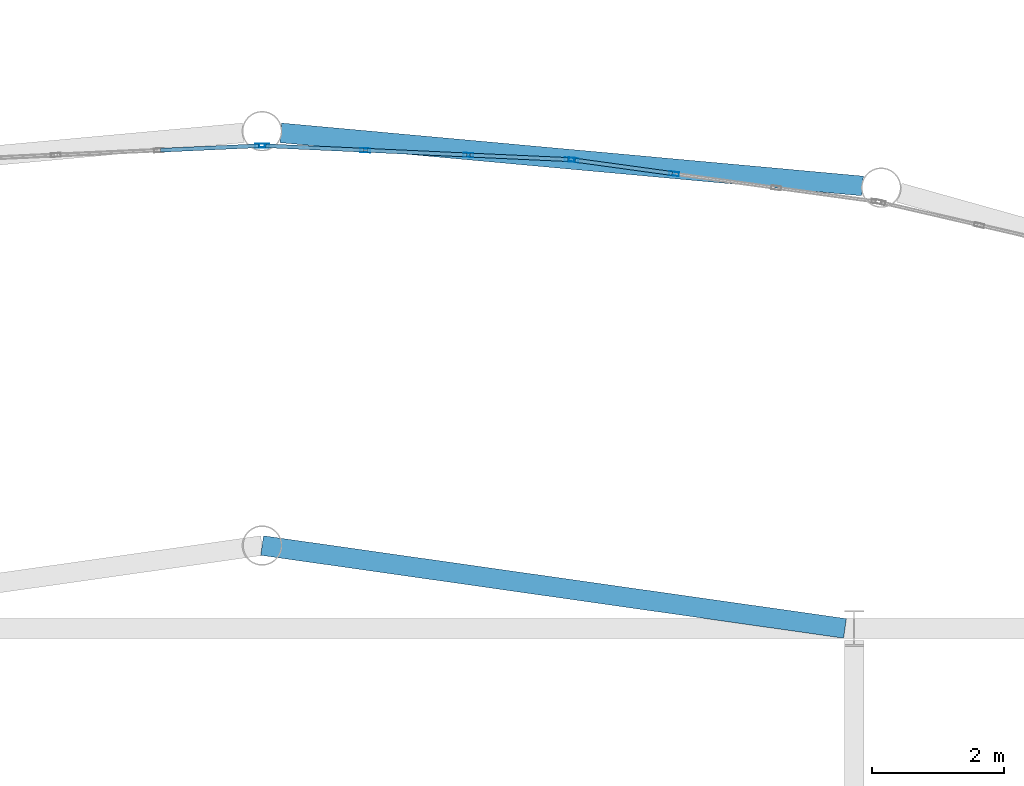
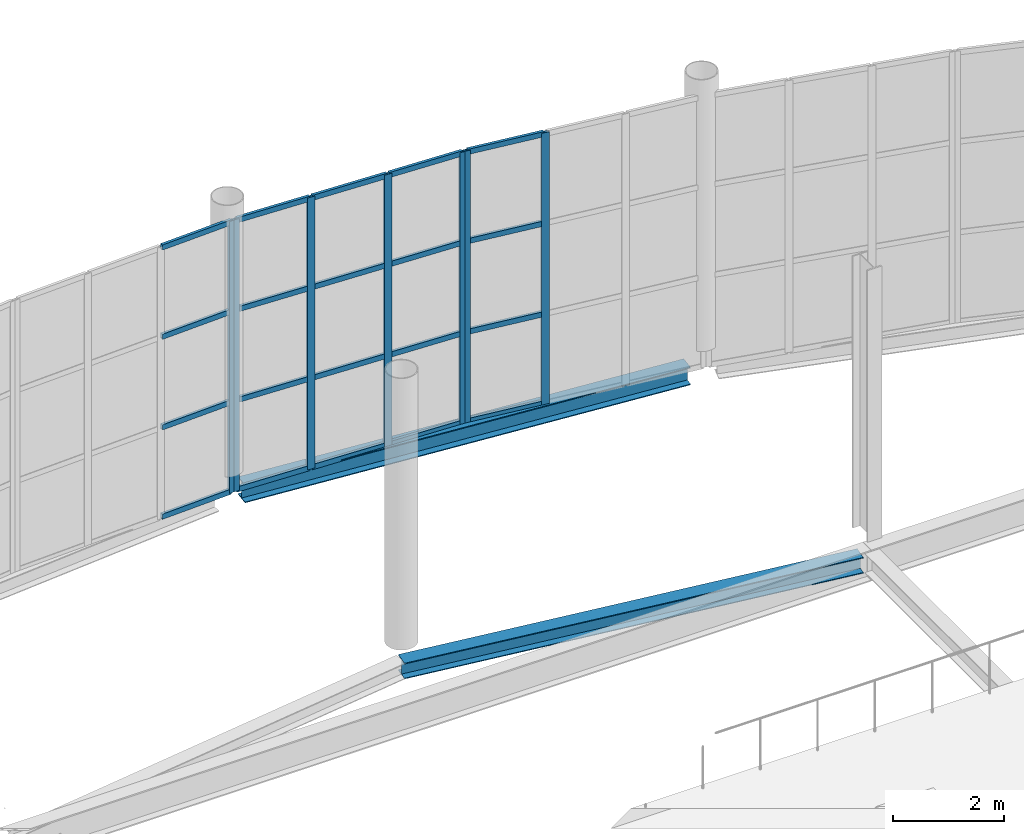
# One storey, part 119 of 191: 27 members, 2 beams, 3 elements without a shape of their own.
"""IFC4 building model written with IfcOpenShell, lengths in metres."""

from ifc_helpers import new_model, si_unit, direction, frame, origin, origin_2d, place, context, subcontext, project, spatial, hollow_rectangle, i_section, extrude, material, layer, layer_set, material_profile, profile_set, type_object, element, aggregate, save


model = new_model("IFC4")

# Units and contexts
model_context = context("Model", 3, precision=1e-05, world=origin(), true_north=direction((0.0, 1.0)))
body_context = subcontext(model_context, "Body", "Model", "MODEL_VIEW")
ifc_project = project(units=[si_unit("LENGTHUNIT", "METRE"), si_unit("AREAUNIT", "SQUARE_METRE"), si_unit("VOLUMEUNIT", "CUBIC_METRE"), si_unit("PLANEANGLEUNIT", "RADIAN"), si_unit("MASSUNIT", "GRAM", prefix="KILO")], contexts=[model_context])

# Site, building, storey
site_placement = place(None, origin())
site = spatial("IfcSite", under=ifc_project, at=site_placement, CompositionType="ELEMENT")
building_placement = place(site_placement, origin())
building = spatial("IfcBuilding", under=site, at=building_placement, Name="Tamarisk Ironworks Central Station", CompositionType="ELEMENT")
storey_placement = place(building_placement, frame((0.0, 0.0, 6.60009765625)))
storey = spatial("IfcBuildingStorey", under=building, at=storey_placement, Name="L01", CompositionType="ELEMENT", Elevation=6.60009765625)

# Beams
ifc_material_1 = material(Name="Structural steel S355J2", Category="steel")
ifc_material_profile_1 = material_profile(ifc_material_1, i_section(OverallWidth=0.300048828125, OverallDepth=0.389892578125, WebThickness=0.010986328125, FlangeThickness=0.01904296875, at=origin_2d()), Name="HEA 400")
ifc_profile_set_1 = profile_set([ifc_material_profile_1], Name="Structural steel S355J2")
beam_type_1 = type_object("IfcBeamType", Name="BM-G07", PredefinedType="BEAM", material=ifc_profile_set_1)
beam_1_placement = place(storey_placement, frame((81.28369140625, 119.133056640625, -0.5751953125), z_axis=(0.995863406654, -0.090862947823, 0.0), x_axis=(0.090862947823, 0.995863406654, 0.0)))
element("IfcBeam", 1, at=beam_1_placement, inside=storey, type_object=beam_type_1, Name="NN rounded nose L01 chord girder 031", PredefinedType="BEAM", context=body_context, shape_type="SweptSolid", body=[
    extrude(i_section(OverallWidth=0.300048828125, OverallDepth=0.389892578125, WebThickness=0.010986328125, FlangeThickness=0.01904296875, at=origin_2d()), origin(), (0.0, 0.0, 1.0), 8.880126953125),
])
ifc_material_profile_2 = material_profile(ifc_material_1, i_section(OverallWidth=0.300048828125, OverallDepth=0.35009765625, WebThickness=0.010009765625, FlangeThickness=0.017578125, at=origin_2d()), Name="HEA 360")
ifc_profile_set_2 = profile_set([ifc_material_profile_2], Name="Structural steel S355J2")
beam_type_2 = type_object("IfcBeamType", Name="BM-G08", PredefinedType="BEAM", material=ifc_profile_set_2)
beam_2_placement = place(storey_placement, frame((89.860107421875, 111.60009765625, -0.580078125), z_axis=(-0.990038775739, 0.140794966289, 0.0), x_axis=(-0.140794966289, -0.990038775739, 0.0)))
element("IfcBeam", 2, at=beam_2_placement, inside=storey, type_object=beam_type_2, Name="NN arch crown tie beam 038", PredefinedType="BEAM", context=body_context, shape_type="SweptSolid", body=[
    extrude(i_section(OverallWidth=0.300048828125, OverallDepth=0.35009765625, WebThickness=0.010009765625, FlangeThickness=0.017578125, at=origin_2d()), origin(), (0.0, 0.0, 1.0), 8.94921875),
])

# Curtain wall, member
ifc_material_2 = material(Name="Anodized aluminium alloy 6063-T6", Category="aluminium")
ifc_layer = layer(ifc_material_2, 0.179931640625)
ifc_layer_set = layer_set([ifc_layer], Name="Anodized aluminium alloy 6063-T6")
curtain_wall_type = type_object("IfcCurtainWallType", Name="CW-02", PredefinedType="USERDEFINED", material=ifc_layer_set)
curtain_wall_1_placement = place(storey_placement, origin())
curtain_wall_1 = element("IfcCurtainWall", 3, at=curtain_wall_1_placement, inside=storey, type_object=curtain_wall_type, Name="NN rounded entrance hall L01 curtain wall bay 06", ObjectType="GLAZED CURTAIN WALL", PredefinedType="USERDEFINED")
ifc_material_profile_3 = material_profile(ifc_material_2, hollow_rectangle(XDim=0.06005859375, YDim=0.14990234375, WallThickness=0.00341796875, at=origin_2d()), Name="ALUM 150x60")
ifc_profile_set_3 = profile_set([ifc_material_profile_3], Name="Anodized aluminium alloy 6063-T6")
member_type_1 = type_object("IfcMemberType", Name="CWM-03", PredefinedType="MULLION", material=ifc_profile_set_3)
member_1_placement = place(storey_placement, frame((80.969970703125, 118.937744140625, -0.385009765625), z_axis=(0.0, 0.0, 1.0), x_axis=(-0.045480859558, 0.998965210312, 0.0)))
member_1 = element("IfcMember", 4, at=member_1_placement, type_object=member_type_1, Name="CW02 mullion 4", PredefinedType="MULLION", context=body_context, shape_type="SweptSolid", body=[
    extrude(hollow_rectangle(XDim=0.06005859375, YDim=0.14990234375, WallThickness=0.00341796875, at=origin_2d()), origin(), (0.0, 0.0, 1.0), 6.0048828125),
])

# Curtain wall, members
curtain_wall_2_placement = place(storey_placement, origin())
curtain_wall_2 = element("IfcCurtainWall", 5, at=curtain_wall_2_placement, inside=storey, type_object=curtain_wall_type, Name="NN rounded entrance hall L01 curtain wall bay 07", ObjectType="GLAZED CURTAIN WALL", PredefinedType="USERDEFINED")
member_2_placement = place(storey_placement, frame((81.030029296875, 118.937744140625, -0.385009765625), z_axis=(0.0, 0.0, 1.0), x_axis=(0.045480859558, 0.998965210312, 0.0)))
member_2 = element("IfcMember", 6, at=member_2_placement, type_object=member_type_1, Name="CW02 mullion 1", PredefinedType="MULLION", context=body_context, shape_type="SweptSolid", body=[
    extrude(hollow_rectangle(XDim=0.06005859375, YDim=0.14990234375, WallThickness=0.00341796875, at=origin_2d()), origin(), (0.0, 0.0, 1.0), 6.0048828125),
])
member_3_placement = place(storey_placement, frame((82.568359375, 118.86767578125, -0.385009765625), z_axis=(0.0, 0.0, 1.0), x_axis=(0.045480859558, 0.998965210312, 0.0)))
member_3 = element("IfcMember", 7, at=member_3_placement, type_object=member_type_1, Name="CW02 mullion 2", PredefinedType="MULLION", context=body_context, shape_type="SweptSolid", body=[
    extrude(hollow_rectangle(XDim=0.06005859375, YDim=0.14990234375, WallThickness=0.00341796875, at=origin_2d()), origin(), (0.0, 0.0, 1.0), 6.0048828125),
])
member_4_placement = place(storey_placement, frame((84.136474609375, 118.796142578125, -0.385009765625), z_axis=(0.0, 0.0, 1.0), x_axis=(0.045480859558, 0.998965210312, 0.0)))
member_4 = element("IfcMember", 8, at=member_4_placement, type_object=member_type_1, Name="CW02 mullion 3", PredefinedType="MULLION", context=body_context, shape_type="SweptSolid", body=[
    extrude(hollow_rectangle(XDim=0.06005859375, YDim=0.14990234375, WallThickness=0.00341796875, at=origin_2d()), origin(), (0.0, 0.0, 1.0), 6.0048828125),
])
member_5_placement = place(storey_placement, frame((85.6748046875, 118.72607421875, -0.385009765625), z_axis=(0.0, 0.0, 1.0), x_axis=(0.045480859558, 0.998965210312, 0.0)))
member_5 = element("IfcMember", 9, at=member_5_placement, type_object=member_type_1, Name="CW02 mullion 4", PredefinedType="MULLION", context=body_context, shape_type="SweptSolid", body=[
    extrude(hollow_rectangle(XDim=0.06005859375, YDim=0.14990234375, WallThickness=0.00341796875, at=origin_2d()), origin(), (0.0, 0.0, 1.0), 6.0048828125),
])

curtain_wall_3_placement = place(storey_placement, origin())
curtain_wall_3 = element("IfcCurtainWall", 10, at=curtain_wall_3_placement, inside=storey, type_object=curtain_wall_type, Name="NN rounded entrance hall L01 curtain wall bay 08", ObjectType="GLAZED CURTAIN WALL", PredefinedType="USERDEFINED")
member_6_placement = place(storey_placement, frame((85.734619140625, 118.720703125, -0.385009765625), z_axis=(0.0, 0.0, 1.0), x_axis=(0.136041725218, 0.990703108403, 0.0)))
member_6 = element("IfcMember", 11, at=member_6_placement, type_object=member_type_1, Name="CW02 mullion 1", PredefinedType="MULLION", context=body_context, shape_type="SweptSolid", body=[
    extrude(hollow_rectangle(XDim=0.06005859375, YDim=0.14990234375, WallThickness=0.00341796875, at=origin_2d()), origin(), (0.0, 0.0, 1.0), 6.0048828125),
])
member_7_placement = place(storey_placement, frame((87.260009765625, 118.51123046875, -0.385009765625), z_axis=(0.0, 0.0, 1.0), x_axis=(0.136041725218, 0.990703108403, 0.0)))
member_7 = element("IfcMember", 12, at=member_7_placement, type_object=member_type_1, Name="CW02 mullion 2", PredefinedType="MULLION", context=body_context, shape_type="SweptSolid", body=[
    extrude(hollow_rectangle(XDim=0.06005859375, YDim=0.14990234375, WallThickness=0.00341796875, at=origin_2d()), origin(), (0.0, 0.0, 1.0), 6.0048828125),
])

# Member
ifc_material_profile_4 = material_profile(ifc_material_2, hollow_rectangle(XDim=0.06005859375, YDim=0.114990234375, WallThickness=0.00341796875, at=origin_2d()), Name="ALUM 115x60")
ifc_profile_set_4 = profile_set([ifc_material_profile_4], Name="Anodized aluminium alloy 6063-T6")
member_type_2 = type_object("IfcMemberType", Name="CWT-03", PredefinedType="USERDEFINED", material=ifc_profile_set_4)
member_8_placement = place(storey_placement, frame((79.457763671875, 118.868896484375, -0.35498046875), z_axis=(0.99896650926, 0.04545231982, 0.0), x_axis=(-0.04545231982, 0.99896650926, 0.0)))
member_8 = element("IfcMember", 13, at=member_8_placement, type_object=member_type_2, Name="CW02 transom 3.1", ObjectType="TRANSOM", PredefinedType="USERDEFINED", context=body_context, shape_type="SweptSolid", body=[
    extrude(hollow_rectangle(XDim=0.06005859375, YDim=0.114990234375, WallThickness=0.00341796875, at=origin_2d()), origin(), (0.0, 0.0, 1.0), 1.48779296875),
])

member_9_placement = place(storey_placement, frame((79.457763671875, 118.868896484375, 1.61669921875), z_axis=(0.99896650926, 0.04545231982, 0.0), x_axis=(-0.04545231982, 0.99896650926, 0.0)))
member_9 = element("IfcMember", 14, at=member_9_placement, type_object=member_type_2, Name="CW02 transom 3.2", ObjectType="TRANSOM", PredefinedType="USERDEFINED", context=body_context, shape_type="SweptSolid", body=[
    extrude(hollow_rectangle(XDim=0.06005859375, YDim=0.114990234375, WallThickness=0.00341796875, at=origin_2d()), origin(), (0.0, 0.0, 1.0), 1.48779296875),
])

member_10_placement = place(storey_placement, frame((79.457763671875, 118.868896484375, 3.6181640625), z_axis=(0.99896650926, 0.04545231982, 0.0), x_axis=(-0.04545231982, 0.99896650926, 0.0)))
member_10 = element("IfcMember", 15, at=member_10_placement, type_object=member_type_2, Name="CW02 transom 3.3", ObjectType="TRANSOM", PredefinedType="USERDEFINED", context=body_context, shape_type="SweptSolid", body=[
    extrude(hollow_rectangle(XDim=0.06005859375, YDim=0.114990234375, WallThickness=0.00341796875, at=origin_2d()), origin(), (0.0, 0.0, 1.0), 1.48779296875),
])

member_11_placement = place(storey_placement, frame((79.457763671875, 118.868896484375, 5.58984375), z_axis=(0.99896650926, 0.04545231982, 0.0), x_axis=(-0.04545231982, 0.99896650926, 0.0)))
member_11 = element("IfcMember", 16, at=member_11_placement, type_object=member_type_2, Name="CW02 transom 3.4", ObjectType="TRANSOM", PredefinedType="USERDEFINED", context=body_context, shape_type="SweptSolid", body=[
    extrude(hollow_rectangle(XDim=0.06005859375, YDim=0.114990234375, WallThickness=0.00341796875, at=origin_2d()), origin(), (0.0, 0.0, 1.0), 1.48779296875),
])

aggregate(curtain_wall_1, [member_1, member_8, member_9, member_10, member_11])

member_12_placement = place(storey_placement, frame((81.055908203125, 118.9365234375, -0.35498046875), z_axis=(0.99896650926, -0.04545231982, 0.0), x_axis=(0.04545231982, 0.99896650926, 0.0)))
member_12 = element("IfcMember", 17, at=member_12_placement, type_object=member_type_2, Name="CW02 transom 1.1", ObjectType="TRANSOM", PredefinedType="USERDEFINED", context=body_context, shape_type="SweptSolid", body=[
    extrude(hollow_rectangle(XDim=0.06005859375, YDim=0.114990234375, WallThickness=0.00341796875, at=origin_2d()), origin(), (0.0, 0.0, 1.0), 1.48779296875),
])

member_13_placement = place(storey_placement, frame((81.055908203125, 118.9365234375, 1.61669921875), z_axis=(0.99896650926, -0.04545231982, 0.0), x_axis=(0.04545231982, 0.99896650926, 0.0)))
member_13 = element("IfcMember", 18, at=member_13_placement, type_object=member_type_2, Name="CW02 transom 1.2", ObjectType="TRANSOM", PredefinedType="USERDEFINED", context=body_context, shape_type="SweptSolid", body=[
    extrude(hollow_rectangle(XDim=0.06005859375, YDim=0.114990234375, WallThickness=0.00341796875, at=origin_2d()), origin(), (0.0, 0.0, 1.0), 1.48779296875),
])

member_14_placement = place(storey_placement, frame((81.055908203125, 118.9365234375, 3.6181640625), z_axis=(0.99896650926, -0.04545231982, 0.0), x_axis=(0.04545231982, 0.99896650926, 0.0)))
member_14 = element("IfcMember", 19, at=member_14_placement, type_object=member_type_2, Name="CW02 transom 1.3", ObjectType="TRANSOM", PredefinedType="USERDEFINED", context=body_context, shape_type="SweptSolid", body=[
    extrude(hollow_rectangle(XDim=0.06005859375, YDim=0.114990234375, WallThickness=0.00341796875, at=origin_2d()), origin(), (0.0, 0.0, 1.0), 1.48779296875),
])

member_15_placement = place(storey_placement, frame((81.055908203125, 118.9365234375, 5.58984375), z_axis=(0.99896650926, -0.04545231982, 0.0), x_axis=(0.04545231982, 0.99896650926, 0.0)))
member_15 = element("IfcMember", 20, at=member_15_placement, type_object=member_type_2, Name="CW02 transom 1.4", ObjectType="TRANSOM", PredefinedType="USERDEFINED", context=body_context, shape_type="SweptSolid", body=[
    extrude(hollow_rectangle(XDim=0.06005859375, YDim=0.114990234375, WallThickness=0.00341796875, at=origin_2d()), origin(), (0.0, 0.0, 1.0), 1.48779296875),
])

member_16_placement = place(storey_placement, frame((82.59423828125, 118.866455078125, -0.35498046875), z_axis=(0.998963559851, -0.045517096673, 0.0), x_axis=(0.045517096673, 0.998963559851, 0.0)))
member_16 = element("IfcMember", 21, at=member_16_placement, type_object=member_type_2, Name="CW02 transom 2.1", ObjectType="TRANSOM", PredefinedType="USERDEFINED", context=body_context, shape_type="SweptSolid", body=[
    extrude(hollow_rectangle(XDim=0.06005859375, YDim=0.114990234375, WallThickness=0.00341796875, at=origin_2d()), origin(), (0.0, 0.0, 1.0), 1.517822265625),
])

member_17_placement = place(storey_placement, frame((82.59423828125, 118.866455078125, 1.61669921875), z_axis=(0.998963559851, -0.045517096673, 0.0), x_axis=(0.045517096673, 0.998963559851, 0.0)))
member_17 = element("IfcMember", 22, at=member_17_placement, type_object=member_type_2, Name="CW02 transom 2.2", ObjectType="TRANSOM", PredefinedType="USERDEFINED", context=body_context, shape_type="SweptSolid", body=[
    extrude(hollow_rectangle(XDim=0.06005859375, YDim=0.114990234375, WallThickness=0.00341796875, at=origin_2d()), origin(), (0.0, 0.0, 1.0), 1.517822265625),
])

member_18_placement = place(storey_placement, frame((82.59423828125, 118.866455078125, 3.6181640625), z_axis=(0.998963559851, -0.045517096673, 0.0), x_axis=(0.045517096673, 0.998963559851, 0.0)))
member_18 = element("IfcMember", 23, at=member_18_placement, type_object=member_type_2, Name="CW02 transom 2.3", ObjectType="TRANSOM", PredefinedType="USERDEFINED", context=body_context, shape_type="SweptSolid", body=[
    extrude(hollow_rectangle(XDim=0.06005859375, YDim=0.114990234375, WallThickness=0.00341796875, at=origin_2d()), origin(), (0.0, 0.0, 1.0), 1.517822265625),
])

member_19_placement = place(storey_placement, frame((82.59423828125, 118.866455078125, 5.58984375), z_axis=(0.998963559851, -0.045517096673, 0.0), x_axis=(0.045517096673, 0.998963559851, 0.0)))
member_19 = element("IfcMember", 24, at=member_19_placement, type_object=member_type_2, Name="CW02 transom 2.4", ObjectType="TRANSOM", PredefinedType="USERDEFINED", context=body_context, shape_type="SweptSolid", body=[
    extrude(hollow_rectangle(XDim=0.06005859375, YDim=0.114990234375, WallThickness=0.00341796875, at=origin_2d()), origin(), (0.0, 0.0, 1.0), 1.517822265625),
])

member_20_placement = place(storey_placement, frame((84.16259765625, 118.794921875, -0.35498046875), z_axis=(0.99896650926, -0.04545231982, 0.0), x_axis=(0.04545231982, 0.99896650926, 0.0)))
member_20 = element("IfcMember", 25, at=member_20_placement, type_object=member_type_2, Name="CW02 transom 3.1", ObjectType="TRANSOM", PredefinedType="USERDEFINED", context=body_context, shape_type="SweptSolid", body=[
    extrude(hollow_rectangle(XDim=0.06005859375, YDim=0.114990234375, WallThickness=0.00341796875, at=origin_2d()), origin(), (0.0, 0.0, 1.0), 1.48779296875),
])

member_21_placement = place(storey_placement, frame((84.16259765625, 118.794921875, 1.61669921875), z_axis=(0.99896650926, -0.04545231982, 0.0), x_axis=(0.04545231982, 0.99896650926, 0.0)))
member_21 = element("IfcMember", 26, at=member_21_placement, type_object=member_type_2, Name="CW02 transom 3.2", ObjectType="TRANSOM", PredefinedType="USERDEFINED", context=body_context, shape_type="SweptSolid", body=[
    extrude(hollow_rectangle(XDim=0.06005859375, YDim=0.114990234375, WallThickness=0.00341796875, at=origin_2d()), origin(), (0.0, 0.0, 1.0), 1.48779296875),
])

member_22_placement = place(storey_placement, frame((84.16259765625, 118.794921875, 3.6181640625), z_axis=(0.99896650926, -0.04545231982, 0.0), x_axis=(0.04545231982, 0.99896650926, 0.0)))
member_22 = element("IfcMember", 27, at=member_22_placement, type_object=member_type_2, Name="CW02 transom 3.3", ObjectType="TRANSOM", PredefinedType="USERDEFINED", context=body_context, shape_type="SweptSolid", body=[
    extrude(hollow_rectangle(XDim=0.06005859375, YDim=0.114990234375, WallThickness=0.00341796875, at=origin_2d()), origin(), (0.0, 0.0, 1.0), 1.48779296875),
])

member_23_placement = place(storey_placement, frame((84.16259765625, 118.794921875, 5.58984375), z_axis=(0.99896650926, -0.04545231982, 0.0), x_axis=(0.04545231982, 0.99896650926, 0.0)))
member_23 = element("IfcMember", 28, at=member_23_placement, type_object=member_type_2, Name="CW02 transom 3.4", ObjectType="TRANSOM", PredefinedType="USERDEFINED", context=body_context, shape_type="SweptSolid", body=[
    extrude(hollow_rectangle(XDim=0.06005859375, YDim=0.114990234375, WallThickness=0.00341796875, at=origin_2d()), origin(), (0.0, 0.0, 1.0), 1.48779296875),
])

aggregate(curtain_wall_2, [member_2, member_3, member_4, member_5, member_12, member_13, member_14, member_15, member_16, member_17, member_18, member_19, member_20, member_21, member_22, member_23])

member_24_placement = place(storey_placement, frame((85.76025390625, 118.71728515625, -0.35498046875), z_axis=(0.990683821059, -0.136182108559, 0.0), x_axis=(0.136182108559, 0.990683821059, 0.0)))
member_24 = element("IfcMember", 29, at=member_24_placement, type_object=member_type_2, Name="CW02 transom 1.1", ObjectType="TRANSOM", PredefinedType="USERDEFINED", context=body_context, shape_type="SweptSolid", body=[
    extrude(hollow_rectangle(XDim=0.06005859375, YDim=0.114990234375, WallThickness=0.00341796875, at=origin_2d()), origin(), (0.0, 0.0, 1.0), 1.488037109375),
])

member_25_placement = place(storey_placement, frame((85.76025390625, 118.71728515625, 1.61669921875), z_axis=(0.990683821059, -0.136182108559, 0.0), x_axis=(0.136182108559, 0.990683821059, 0.0)))
member_25 = element("IfcMember", 30, at=member_25_placement, type_object=member_type_2, Name="CW02 transom 1.2", ObjectType="TRANSOM", PredefinedType="USERDEFINED", context=body_context, shape_type="SweptSolid", body=[
    extrude(hollow_rectangle(XDim=0.06005859375, YDim=0.114990234375, WallThickness=0.00341796875, at=origin_2d()), origin(), (0.0, 0.0, 1.0), 1.488037109375),
])

member_26_placement = place(storey_placement, frame((85.76025390625, 118.71728515625, 3.6181640625), z_axis=(0.990683821059, -0.136182108559, 0.0), x_axis=(0.136182108559, 0.990683821059, 0.0)))
member_26 = element("IfcMember", 31, at=member_26_placement, type_object=member_type_2, Name="CW02 transom 1.3", ObjectType="TRANSOM", PredefinedType="USERDEFINED", context=body_context, shape_type="SweptSolid", body=[
    extrude(hollow_rectangle(XDim=0.06005859375, YDim=0.114990234375, WallThickness=0.00341796875, at=origin_2d()), origin(), (0.0, 0.0, 1.0), 1.488037109375),
])

member_27_placement = place(storey_placement, frame((85.76025390625, 118.71728515625, 5.58984375), z_axis=(0.990683821059, -0.136182108559, 0.0), x_axis=(0.136182108559, 0.990683821059, 0.0)))
member_27 = element("IfcMember", 32, at=member_27_placement, type_object=member_type_2, Name="CW02 transom 1.4", ObjectType="TRANSOM", PredefinedType="USERDEFINED", context=body_context, shape_type="SweptSolid", body=[
    extrude(hollow_rectangle(XDim=0.06005859375, YDim=0.114990234375, WallThickness=0.00341796875, at=origin_2d()), origin(), (0.0, 0.0, 1.0), 1.488037109375),
])

aggregate(curtain_wall_3, [member_6, member_7, member_24, member_25, member_26, member_27])

save(model, "model.ifc")
